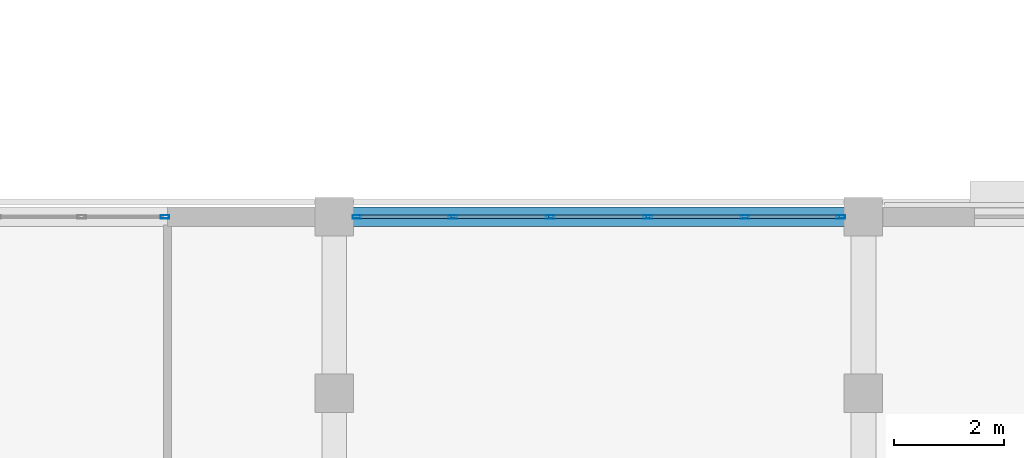
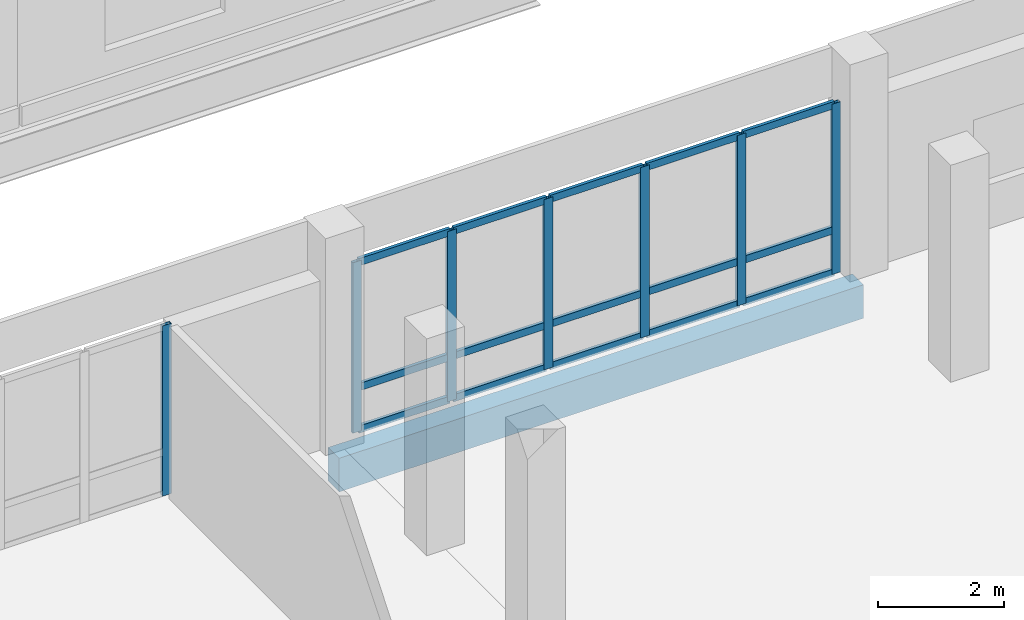
# One storey, part 33 of 185: 22 members, 1 beam, 2 elements without a shape of their own.
"""IFC4 building model written with IfcOpenShell, lengths in metres."""

from ifc_helpers import new_model, si_unit, direction, frame, origin, origin_2d, place, context, subcontext, project, spatial, rectangle, hollow_rectangle, extrude, material, material_profile, profile_set, type_object, element, aggregate, save


model = new_model("IFC4")

# Units and contexts
model_context = context("Model", 3, precision=1e-05, world=origin(), true_north=direction((0.0, 1.0)))
body_context = subcontext(model_context, "Body", "Model", "MODEL_VIEW")
ifc_project = project(units=[si_unit("LENGTHUNIT", "METRE"), si_unit("AREAUNIT", "SQUARE_METRE"), si_unit("VOLUMEUNIT", "CUBIC_METRE"), si_unit("PLANEANGLEUNIT", "RADIAN"), si_unit("MASSUNIT", "GRAM", prefix="KILO")], contexts=[model_context])

# Site, building, storey
site_placement = place(None, origin())
site = spatial("IfcSite", under=ifc_project, at=site_placement, CompositionType="ELEMENT")
building_placement = place(site_placement, origin())
building = spatial("IfcBuilding", under=site, at=building_placement, Name="Vondelvale Polytechnic", CompositionType="ELEMENT")
storey_placement = place(building_placement, frame((0.0, 0.0, 9.60009765625)))
storey = spatial("IfcBuildingStorey", under=building, at=storey_placement, Name="L02", CompositionType="ELEMENT", Elevation=9.60009765625)

# Curtain wall, member
ifc_material_1 = material(Name="Anodised extruded aluminium 6063-T6", Category="aluminium")
curtain_wall_type = type_object("IfcCurtainWallType", Name="CW-STUDIO-NORTH", PredefinedType="NOTDEFINED", material=ifc_material_1)
curtain_wall_1_placement = place(storey_placement, origin())
curtain_wall_1 = element("IfcCurtainWall", 1, at=curtain_wall_1_placement, inside=storey, type_object=curtain_wall_type, Name="L02 architectural curtain wall CW-01-020", PredefinedType="NOTDEFINED")
ifc_material_profile_1 = material_profile(ifc_material_1, hollow_rectangle(XDim=0.06494140625, YDim=0.159912109375, WallThickness=0.0048828125, at=origin_2d()), Name="CW-MUL-160x65")
ifc_profile_set_1 = profile_set([ifc_material_profile_1], Name="Anodised extruded aluminium 6063-T6")
member_type_1 = type_object("IfcMemberType", Name="CW-MUL-65x160", PredefinedType="MULLION", material=ifc_profile_set_1)
member_1_placement = place(storey_placement, frame((16.12744140625, 40.800048828125, 0.0), z_axis=(0.0, 0.0, 1.0), x_axis=(0.0, 1.0, 0.0)))
member_1 = element("IfcMember", 2, at=member_1_placement, type_object=member_type_1, Name="CW-01-020 mullion 5", PredefinedType="MULLION", context=body_context, shape_type="SweptSolid", body=[
    extrude(hollow_rectangle(XDim=0.06494140625, YDim=0.159912109375, WallThickness=0.0048828125, at=origin_2d()), origin(), (0.0, 0.0, 1.0), 3.2998046875),
])
aggregate(curtain_wall_1, [member_1])

# Curtain wall, members
curtain_wall_2_placement = place(storey_placement, origin())
curtain_wall_2 = element("IfcCurtainWall", 3, at=curtain_wall_2_placement, inside=storey, type_object=curtain_wall_type, Name="L02 architectural curtain wall CW-01-021", PredefinedType="NOTDEFINED")
member_2_placement = place(storey_placement, frame((19.612548828125, 40.800048828125, 0.0), z_axis=(0.0, 0.0, 1.0), x_axis=(0.0, 1.0, 0.0)))
member_2 = element("IfcMember", 4, at=member_2_placement, type_object=member_type_1, Name="CW-01-021 mullion 1", PredefinedType="MULLION", context=body_context, shape_type="SweptSolid", body=[
    extrude(hollow_rectangle(XDim=0.06494140625, YDim=0.159912109375, WallThickness=0.0048828125, at=origin_2d()), origin(), (0.0, 0.0, 1.0), 3.2998046875),
])
member_3_placement = place(storey_placement, frame((21.347900390625, 40.800048828125, 0.0), z_axis=(0.0, 0.0, 1.0), x_axis=(0.0, 1.0, 0.0)))
member_3 = element("IfcMember", 5, at=member_3_placement, type_object=member_type_1, Name="CW-01-021 mullion 2", PredefinedType="MULLION", context=body_context, shape_type="SweptSolid", body=[
    extrude(hollow_rectangle(XDim=0.06494140625, YDim=0.159912109375, WallThickness=0.0048828125, at=origin_2d()), origin(), (0.0, 0.0, 1.0), 3.2998046875),
])
member_4_placement = place(storey_placement, frame((23.115966796875, 40.800048828125, 0.0), z_axis=(0.0, 0.0, 1.0), x_axis=(0.0, 1.0, 0.0)))
member_4 = element("IfcMember", 6, at=member_4_placement, type_object=member_type_1, Name="CW-01-021 mullion 3", PredefinedType="MULLION", context=body_context, shape_type="SweptSolid", body=[
    extrude(hollow_rectangle(XDim=0.06494140625, YDim=0.159912109375, WallThickness=0.0048828125, at=origin_2d()), origin(), (0.0, 0.0, 1.0), 3.2998046875),
])
member_5_placement = place(storey_placement, frame((24.884033203125, 40.800048828125, 0.0), z_axis=(0.0, 0.0, 1.0), x_axis=(0.0, 1.0, 0.0)))
member_5 = element("IfcMember", 7, at=member_5_placement, type_object=member_type_1, Name="CW-01-021 mullion 4", PredefinedType="MULLION", context=body_context, shape_type="SweptSolid", body=[
    extrude(hollow_rectangle(XDim=0.06494140625, YDim=0.159912109375, WallThickness=0.0048828125, at=origin_2d()), origin(), (0.0, 0.0, 1.0), 3.2998046875),
])
member_6_placement = place(storey_placement, frame((26.652099609375, 40.800048828125, 0.0), z_axis=(0.0, 0.0, 1.0), x_axis=(0.0, 1.0, 0.0)))
member_6 = element("IfcMember", 8, at=member_6_placement, type_object=member_type_1, Name="CW-01-021 mullion 5", PredefinedType="MULLION", context=body_context, shape_type="SweptSolid", body=[
    extrude(hollow_rectangle(XDim=0.06494140625, YDim=0.159912109375, WallThickness=0.0048828125, at=origin_2d()), origin(), (0.0, 0.0, 1.0), 3.2998046875),
])
member_7_placement = place(storey_placement, frame((28.387451171875, 40.800048828125, 0.0), z_axis=(0.0, 0.0, 1.0), x_axis=(0.0, 1.0, 0.0)))
member_7 = element("IfcMember", 9, at=member_7_placement, type_object=member_type_1, Name="CW-01-021 mullion 6", PredefinedType="MULLION", context=body_context, shape_type="SweptSolid", body=[
    extrude(hollow_rectangle(XDim=0.06494140625, YDim=0.159912109375, WallThickness=0.0048828125, at=origin_2d()), origin(), (0.0, 0.0, 1.0), 3.2998046875),
])
ifc_material_profile_2 = material_profile(ifc_material_1, hollow_rectangle(XDim=0.06005859375, YDim=0.139892578125, WallThickness=0.00341796875, at=origin_2d()), Name="CW-TRN-140x60")
ifc_profile_set_2 = profile_set([ifc_material_profile_2], Name="Anodised extruded aluminium 6063-T6")
member_type_2 = type_object("IfcMemberType", Name="CW-TRN-60x140", PredefinedType="USERDEFINED", material=ifc_profile_set_2)
member_8_placement = place(storey_placement, frame((19.64501953125, 40.800048828125, 0.02978515625), z_axis=(1.0, 0.0, 0.0), x_axis=(0.0, 1.0, 0.0)))
member_8 = element("IfcMember", 10, at=member_8_placement, type_object=member_type_2, Name="CW-01-021 transom 1.1", ObjectType="TRANSOM", PredefinedType="USERDEFINED", context=body_context, shape_type="SweptSolid", body=[
    extrude(hollow_rectangle(XDim=0.06005859375, YDim=0.139892578125, WallThickness=0.00341796875, at=origin_2d()), origin(), (0.0, 0.0, 1.0), 1.67041015625),
])
member_9_placement = place(storey_placement, frame((19.64501953125, 40.800048828125, 0.849853515625), z_axis=(1.0, 0.0, 0.0), x_axis=(0.0, 1.0, 0.0)))
member_9 = element("IfcMember", 11, at=member_9_placement, type_object=member_type_2, Name="CW-01-021 transom 1.2", ObjectType="TRANSOM", PredefinedType="USERDEFINED", context=body_context, shape_type="SweptSolid", body=[
    extrude(hollow_rectangle(XDim=0.06005859375, YDim=0.139892578125, WallThickness=0.00341796875, at=origin_2d()), origin(), (0.0, 0.0, 1.0), 1.67041015625),
])
member_10_placement = place(storey_placement, frame((19.64501953125, 40.800048828125, 3.27001953125), z_axis=(1.0, 0.0, 0.0), x_axis=(0.0, 1.0, 0.0)))
member_10 = element("IfcMember", 12, at=member_10_placement, type_object=member_type_2, Name="CW-01-021 transom 1.3", ObjectType="TRANSOM", PredefinedType="USERDEFINED", context=body_context, shape_type="SweptSolid", body=[
    extrude(hollow_rectangle(XDim=0.06005859375, YDim=0.139892578125, WallThickness=0.00341796875, at=origin_2d()), origin(), (0.0, 0.0, 1.0), 1.67041015625),
])
member_11_placement = place(storey_placement, frame((21.380615234375, 40.800048828125, 0.02978515625), z_axis=(1.0, 0.0, 0.0), x_axis=(0.0, 1.0, 0.0)))
member_11 = element("IfcMember", 13, at=member_11_placement, type_object=member_type_2, Name="CW-01-021 transom 2.1", ObjectType="TRANSOM", PredefinedType="USERDEFINED", context=body_context, shape_type="SweptSolid", body=[
    extrude(hollow_rectangle(XDim=0.06005859375, YDim=0.139892578125, WallThickness=0.00341796875, at=origin_2d()), origin(), (0.0, 0.0, 1.0), 1.702880859375),
])
member_12_placement = place(storey_placement, frame((21.380615234375, 40.800048828125, 0.849853515625), z_axis=(1.0, 0.0, 0.0), x_axis=(0.0, 1.0, 0.0)))
member_12 = element("IfcMember", 14, at=member_12_placement, type_object=member_type_2, Name="CW-01-021 transom 2.2", ObjectType="TRANSOM", PredefinedType="USERDEFINED", context=body_context, shape_type="SweptSolid", body=[
    extrude(hollow_rectangle(XDim=0.06005859375, YDim=0.139892578125, WallThickness=0.00341796875, at=origin_2d()), origin(), (0.0, 0.0, 1.0), 1.702880859375),
])
member_13_placement = place(storey_placement, frame((21.380615234375, 40.800048828125, 3.27001953125), z_axis=(1.0, 0.0, 0.0), x_axis=(0.0, 1.0, 0.0)))
member_13 = element("IfcMember", 15, at=member_13_placement, type_object=member_type_2, Name="CW-01-021 transom 2.3", ObjectType="TRANSOM", PredefinedType="USERDEFINED", context=body_context, shape_type="SweptSolid", body=[
    extrude(hollow_rectangle(XDim=0.06005859375, YDim=0.139892578125, WallThickness=0.00341796875, at=origin_2d()), origin(), (0.0, 0.0, 1.0), 1.702880859375),
])
member_14_placement = place(storey_placement, frame((23.1484375, 40.800048828125, 0.02978515625), z_axis=(1.0, 0.0, 0.0), x_axis=(0.0, 1.0, 0.0)))
member_14 = element("IfcMember", 16, at=member_14_placement, type_object=member_type_2, Name="CW-01-021 transom 3.1", ObjectType="TRANSOM", PredefinedType="USERDEFINED", context=body_context, shape_type="SweptSolid", body=[
    extrude(hollow_rectangle(XDim=0.06005859375, YDim=0.139892578125, WallThickness=0.00341796875, at=origin_2d()), origin(), (0.0, 0.0, 1.0), 1.703125),
])
member_15_placement = place(storey_placement, frame((23.1484375, 40.800048828125, 0.849853515625), z_axis=(1.0, 0.0, 0.0), x_axis=(0.0, 1.0, 0.0)))
member_15 = element("IfcMember", 17, at=member_15_placement, type_object=member_type_2, Name="CW-01-021 transom 3.2", ObjectType="TRANSOM", PredefinedType="USERDEFINED", context=body_context, shape_type="SweptSolid", body=[
    extrude(hollow_rectangle(XDim=0.06005859375, YDim=0.139892578125, WallThickness=0.00341796875, at=origin_2d()), origin(), (0.0, 0.0, 1.0), 1.703125),
])
member_16_placement = place(storey_placement, frame((23.1484375, 40.800048828125, 3.27001953125), z_axis=(1.0, 0.0, 0.0), x_axis=(0.0, 1.0, 0.0)))
member_16 = element("IfcMember", 18, at=member_16_placement, type_object=member_type_2, Name="CW-01-021 transom 3.3", ObjectType="TRANSOM", PredefinedType="USERDEFINED", context=body_context, shape_type="SweptSolid", body=[
    extrude(hollow_rectangle(XDim=0.06005859375, YDim=0.139892578125, WallThickness=0.00341796875, at=origin_2d()), origin(), (0.0, 0.0, 1.0), 1.703125),
])
member_17_placement = place(storey_placement, frame((24.91650390625, 40.800048828125, 0.02978515625), z_axis=(1.0, 0.0, 0.0), x_axis=(0.0, 1.0, 0.0)))
member_17 = element("IfcMember", 19, at=member_17_placement, type_object=member_type_2, Name="CW-01-021 transom 4.1", ObjectType="TRANSOM", PredefinedType="USERDEFINED", context=body_context, shape_type="SweptSolid", body=[
    extrude(hollow_rectangle(XDim=0.06005859375, YDim=0.139892578125, WallThickness=0.00341796875, at=origin_2d()), origin(), (0.0, 0.0, 1.0), 1.702880859375),
])
member_18_placement = place(storey_placement, frame((24.91650390625, 40.800048828125, 0.849853515625), z_axis=(1.0, 0.0, 0.0), x_axis=(0.0, 1.0, 0.0)))
member_18 = element("IfcMember", 20, at=member_18_placement, type_object=member_type_2, Name="CW-01-021 transom 4.2", ObjectType="TRANSOM", PredefinedType="USERDEFINED", context=body_context, shape_type="SweptSolid", body=[
    extrude(hollow_rectangle(XDim=0.06005859375, YDim=0.139892578125, WallThickness=0.00341796875, at=origin_2d()), origin(), (0.0, 0.0, 1.0), 1.702880859375),
])
member_19_placement = place(storey_placement, frame((24.91650390625, 40.800048828125, 3.27001953125), z_axis=(1.0, 0.0, 0.0), x_axis=(0.0, 1.0, 0.0)))
member_19 = element("IfcMember", 21, at=member_19_placement, type_object=member_type_2, Name="CW-01-021 transom 4.3", ObjectType="TRANSOM", PredefinedType="USERDEFINED", context=body_context, shape_type="SweptSolid", body=[
    extrude(hollow_rectangle(XDim=0.06005859375, YDim=0.139892578125, WallThickness=0.00341796875, at=origin_2d()), origin(), (0.0, 0.0, 1.0), 1.702880859375),
])
member_20_placement = place(storey_placement, frame((26.6845703125, 40.800048828125, 0.02978515625), z_axis=(1.0, 0.0, 0.0), x_axis=(0.0, 1.0, 0.0)))
member_20 = element("IfcMember", 22, at=member_20_placement, type_object=member_type_2, Name="CW-01-021 transom 5.1", ObjectType="TRANSOM", PredefinedType="USERDEFINED", context=body_context, shape_type="SweptSolid", body=[
    extrude(hollow_rectangle(XDim=0.06005859375, YDim=0.139892578125, WallThickness=0.00341796875, at=origin_2d()), origin(), (0.0, 0.0, 1.0), 1.67041015625),
])
member_21_placement = place(storey_placement, frame((26.6845703125, 40.800048828125, 0.849853515625), z_axis=(1.0, 0.0, 0.0), x_axis=(0.0, 1.0, 0.0)))
member_21 = element("IfcMember", 23, at=member_21_placement, type_object=member_type_2, Name="CW-01-021 transom 5.2", ObjectType="TRANSOM", PredefinedType="USERDEFINED", context=body_context, shape_type="SweptSolid", body=[
    extrude(hollow_rectangle(XDim=0.06005859375, YDim=0.139892578125, WallThickness=0.00341796875, at=origin_2d()), origin(), (0.0, 0.0, 1.0), 1.67041015625),
])
member_22_placement = place(storey_placement, frame((26.6845703125, 40.800048828125, 3.27001953125), z_axis=(1.0, 0.0, 0.0), x_axis=(0.0, 1.0, 0.0)))
member_22 = element("IfcMember", 24, at=member_22_placement, type_object=member_type_2, Name="CW-01-021 transom 5.3", ObjectType="TRANSOM", PredefinedType="USERDEFINED", context=body_context, shape_type="SweptSolid", body=[
    extrude(hollow_rectangle(XDim=0.06005859375, YDim=0.139892578125, WallThickness=0.00341796875, at=origin_2d()), origin(), (0.0, 0.0, 1.0), 1.67041015625),
])
aggregate(curtain_wall_2, [member_2, member_3, member_4, member_5, member_6, member_7, member_8, member_9, member_10, member_11, member_12, member_13, member_14, member_15, member_16, member_17, member_18, member_19, member_20, member_21, member_22])

# Beam
ifc_material_2 = material(Name="Precast concrete N40 (f'c = 40 MPa)", Category="concrete")
ifc_material_profile_3 = material_profile(ifc_material_2, rectangle(XDim=0.35009765625, YDim=0.64990234375, at=origin_2d()), Name="RC-SPN-350x650")
ifc_profile_set_3 = profile_set([ifc_material_profile_3], Name="Precast concrete N40 (f'c = 40 MPa)")
beam_type = type_object("IfcBeamType", Name="SPN-PRE350x650", PredefinedType="SPANDREL", material=ifc_profile_set_3)
beam_placement = place(storey_placement, frame((19.199951171875, 40.800048828125, -0.60498046875), z_axis=(1.0, 0.0, 0.0), x_axis=(0.0, 1.0, 0.0)))
element("IfcBeam", 25, at=beam_placement, inside=storey, type_object=beam_type, Name="L02 B SP-02", PredefinedType="SPANDREL", context=body_context, shape_type="SweptSolid", body=[
    extrude(rectangle(XDim=0.35009765625, YDim=0.64990234375, at=origin_2d()), origin(), (0.0, 0.0, 1.0), 9.60009765625),
])

save(model, "model.ifc")
